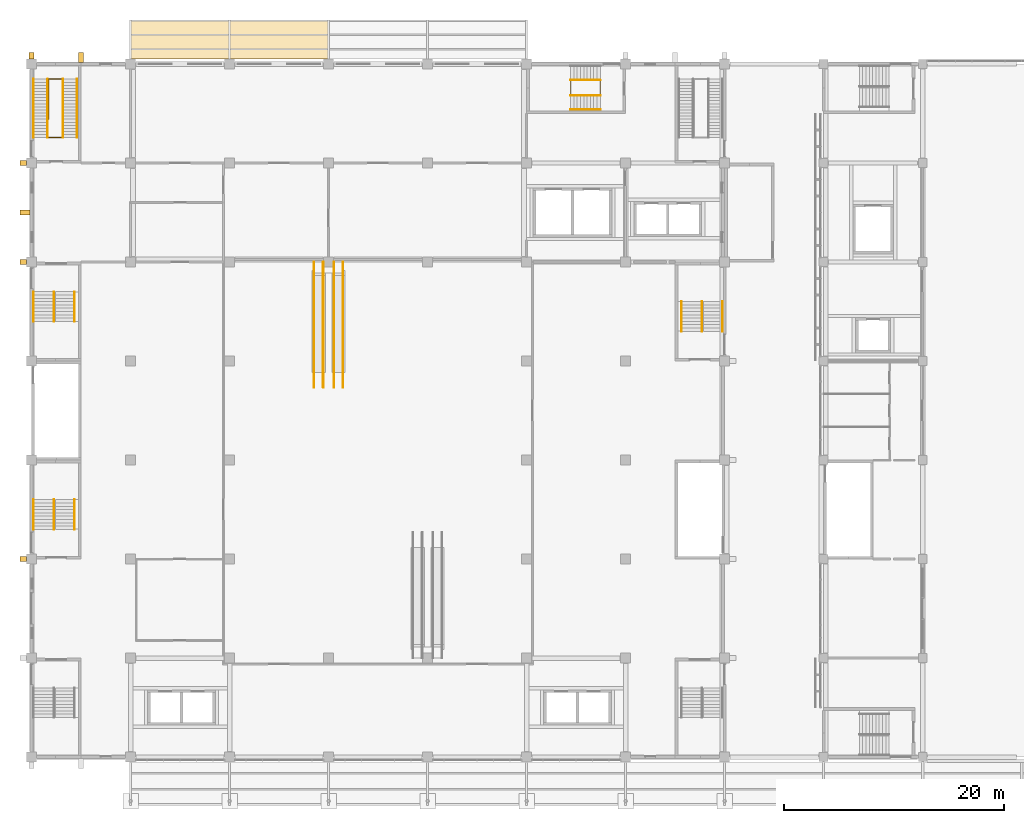
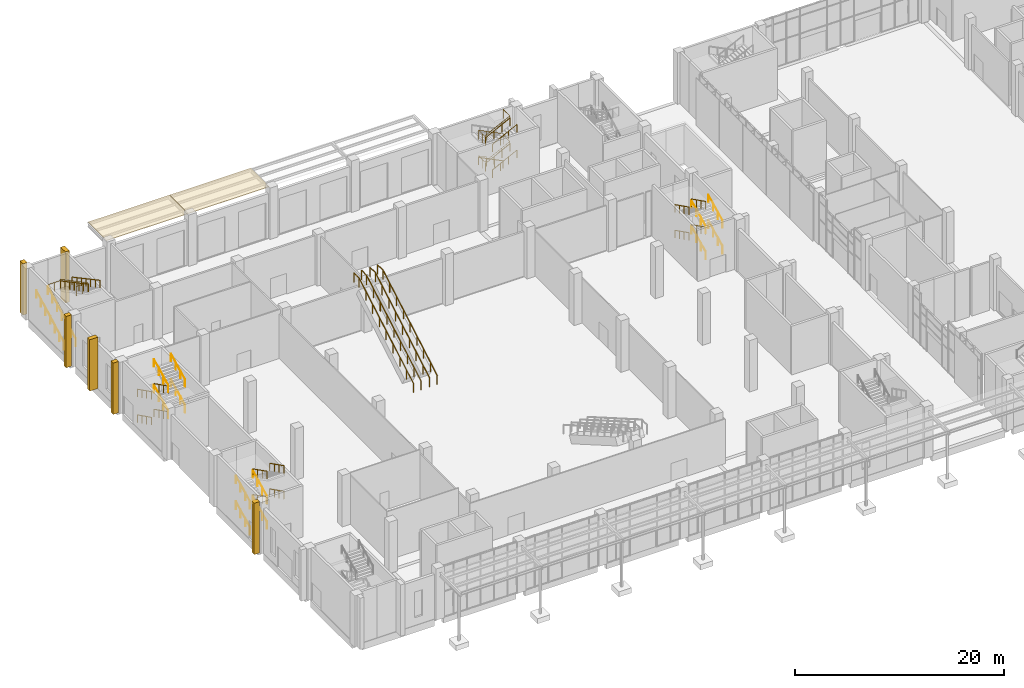
# One storey, part 79 of 86: 39 railings, 8 coverings.
"""IFC4 building model written with IfcOpenShell, lengths in metres."""

from ifc_helpers import new_model, si_unit, direction, frame, origin, origin_2d, place, context, subcontext, project, spatial, rectangle, circle, extrude, material, layer, layer_set, type_object, element, save


model = new_model("IFC4")

# Units and contexts
model_context = context("Model", 3, precision=1e-05, world=origin(), true_north=direction((0.0, 1.0)))
body_context = subcontext(model_context, "Body", "Model", "MODEL_VIEW")
ifc_project = project(units=[si_unit("LENGTHUNIT", "METRE"), si_unit("AREAUNIT", "SQUARE_METRE"), si_unit("VOLUMEUNIT", "CUBIC_METRE"), si_unit("PLANEANGLEUNIT", "RADIAN"), si_unit("MASSUNIT", "GRAM", prefix="KILO")], contexts=[model_context])

# Site, building, storey
site_placement = place(None, origin())
site = spatial("IfcSite", under=ifc_project, at=site_placement, CompositionType="ELEMENT")
building_placement = place(site_placement, origin())
building = spatial("IfcBuilding", under=site, at=building_placement, Name="Guidao Yard Department Store", CompositionType="ELEMENT")
storey_placement = place(building_placement, origin())
storey = spatial("IfcBuildingStorey", under=building, at=storey_placement, Name="L00", CompositionType="ELEMENT", Elevation=0.0)

# Coverings
ifc_material_1 = material(Name="Steel Q235", Category="steel")
ifc_layer_1 = layer(ifc_material_1, 0.06005859375)
ifc_layer_set_1 = layer_set([ifc_layer_1], Name="Canopy roofing panel CR1 galvanised insulated metal deck 60")
covering_type_1 = type_object("IfcCoveringType", Name="Canopy roofing panel CR1 galvanised insulated metal deck 60", PredefinedType="ROOFING", material=ifc_layer_set_1)
for number, where, z_axis, x_axis, name in (
    (1, (13.5, 110.22509765625, 5.449951171875), (0.0, 0.0, 1.0), (1.0, 0.0, 0.0), "Dock canopy covering 1.1"),
    (2, (22.5, 110.22509765625, 5.449951171875), (0.0, 0.0, 1.0), (1.0, 0.0, 0.0), "Dock canopy covering 2.1"),
):
    element("IfcCovering", number, at=place(storey_placement, frame(where, z_axis=z_axis, x_axis=x_axis)), inside=storey, type_object=covering_type_1, Name=name, PredefinedType="ROOFING", context=body_context, shape_type="SweptSolid", body=[
        extrude(rectangle(XDim=8.989990234375, YDim=3.550048828125, at=origin_2d()), origin(), (0.0, 0.0, 1.0), 0.06005859375),
    ])

# Railings
ifc_material_2 = material(Name="Laminated glass", Category="glass")
railing_type_1 = type_object("IfcRailingType", Name="Escalator balustrade glass 1100", PredefinedType="BALUSTRADE", material=ifc_material_2)
for number, where, name in (
    (3, (25.679931640625, 78.60009765625, 0.0), "Escalator EH1 up balustrade"),
    (4, (26.52001953125, 78.60009765625, 0.0), "Escalator EH1 up balustrade"),
    (5, (27.47998046875, 78.60009765625, 0.0), "Escalator EH1 down balustrade"),
    (6, (28.320068359375, 78.60009765625, 0.0), "Escalator EH1 down balustrade"),
):
    element("IfcRailing", number, at=place(storey_placement, frame(where)), inside=storey, type_object=railing_type_1, Name=name, PredefinedType="BALUSTRADE", context=body_context, shape_type="SweptSolid", body=[
        extrude(circle(Radius=0.030029296875, at=origin_2d()), frame((0.0, 0.0, 1.070068359375), z_axis=(0.0, 0.866015837845, 0.500016568328), x_axis=(-1.0, 0.0, 0.0)), (0.0, 0.0, 1.0), 11.99951171875),
        extrude(circle(Radius=0.030029296875, at=origin_2d()), frame((0.0, 10.391845703125, 7.070068359375), z_axis=(0.0, 1.0, 0.0), x_axis=(-1.0, 0.0, 0.0)), (0.0, 0.0, 1.0), 1.008056640625),
        extrude(circle(Radius=0.02490234375, at=origin_2d()), origin(), (0.0, 0.0, 1.0), 1.0400390625),
        extrude(circle(Radius=0.02490234375, at=origin_2d()), frame((0.0, 1.299072265625, 0.75)), (0.0, 0.0, 1.0), 1.0400390625),
        extrude(circle(Radius=0.02490234375, at=origin_2d()), frame((0.0, 2.597900390625, 1.5)), (0.0, 0.0, 1.0), 1.0400390625),
        extrude(circle(Radius=0.02490234375, at=origin_2d()), frame((0.0, 3.89697265625, 2.25)), (0.0, 0.0, 1.0), 1.0400390625),
        extrude(circle(Radius=0.02490234375, at=origin_2d()), frame((0.0, 5.19580078125, 3.0)), (0.0, 0.0, 1.0), 1.0400390625),
        extrude(circle(Radius=0.02490234375, at=origin_2d()), frame((0.0, 6.494873046875, 3.75)), (0.0, 0.0, 1.0), 1.0400390625),
        extrude(circle(Radius=0.02490234375, at=origin_2d()), frame((0.0, 7.7939453125, 4.5)), (0.0, 0.0, 1.0), 1.0400390625),
        extrude(circle(Radius=0.02490234375, at=origin_2d()), frame((0.0, 9.0927734375, 5.25)), (0.0, 0.0, 1.0), 1.0400390625),
        extrude(circle(Radius=0.02490234375, at=origin_2d()), frame((0.0, 10.391845703125, 6.0)), (0.0, 0.0, 1.0), 1.0400390625),
        extrude(circle(Radius=0.02490234375, at=origin_2d()), frame((0.0, 11.39990234375, 6.0)), (0.0, 0.0, 1.0), 1.0400390625),
    ])
ifc_material_3 = material(Name="Steel Q235", Category="steel")
railing_type_2 = type_object("IfcRailingType", Name="Guard steel balustrade 1100", PredefinedType="GUARDRAIL", material=ifc_material_3)
railing_1_placement = place(storey_placement, frame((1.52490234375, 102.97998046875, 1.050048828125)))
element("IfcRailing", 7, at=railing_1_placement, inside=storey, type_object=railing_type_2, Name="Stair A5 guard L00 1", PredefinedType="GUARDRAIL", context=body_context, shape_type="SweptSolid", body=[
    extrude(circle(Radius=0.02392578125, at=origin_2d()), frame((0.0, 0.0, 1.076171875), z_axis=(0.0, 0.881492274372, 0.472198443689), x_axis=(-1.0, 0.0, 0.0)), (0.0, 0.0, 1.0), 4.12939453125),
    extrude(circle(Radius=0.02392578125, at=origin_2d()), frame((0.0, 3.64013671875, 3.02587890625), z_axis=(1.0, 0.0, 0.0), x_axis=(0.0, 1.0, 0.0)), (0.0, 0.0, 1.0), 1.275146484375),
    extrude(circle(Radius=0.02392578125, at=origin_2d()), frame((1.275146484375, 3.64013671875, 3.02587890625), z_axis=(0.0, 0.0, 1.0), x_axis=(1.0, 0.0, 0.0)), (0.0, 0.0, 1.0), 0.14990234375),
    extrude(circle(Radius=0.02392578125, at=origin_2d()), frame((1.275146484375, 3.64013671875, 3.17578125), z_axis=(0.0, -0.881475760486, 0.472229270245), x_axis=(1.0, 0.0, 0.0)), (0.0, 0.0, 1.0), 6.035400390625),
    extrude(circle(Radius=0.02392578125, at=origin_2d()), frame((1.275146484375, -1.679931640625, 6.02587890625), z_axis=(-1.0, 0.0, 0.0), x_axis=(0.0, -1.0, 0.0)), (0.0, 0.0, 1.0), 1.275146484375),
    extrude(circle(Radius=0.02099609375, at=origin_2d()), origin(), (0.0, 0.0, 1.0), 1.052001953125),
    extrude(circle(Radius=0.02099609375, at=origin_2d()), frame((0.0, 0.91015625, 0.487548828125)), (0.0, 0.0, 1.0), 1.052001953125),
    extrude(circle(Radius=0.02099609375, at=origin_2d()), frame((0.0, 1.820068359375, 0.97509765625)), (0.0, 0.0, 1.0), 1.052001953125),
    extrude(circle(Radius=0.02099609375, at=origin_2d()), frame((0.0, 2.72998046875, 1.46240234375)), (0.0, 0.0, 1.0), 1.052001953125),
    extrude(circle(Radius=0.02099609375, at=origin_2d()), frame((0.0, 3.64013671875, 1.949951171875)), (0.0, 0.0, 1.0), 1.052001953125),
    extrude(circle(Radius=0.02099609375, at=origin_2d()), frame((0.6376953125, 3.64013671875, 1.949951171875)), (0.0, 0.0, 1.0), 1.052001953125),
    extrude(circle(Radius=0.02099609375, at=origin_2d()), frame((1.275146484375, 3.64013671875, 1.949951171875)), (0.0, 0.0, 1.0), 1.052001953125),
    extrude(circle(Radius=0.02099609375, at=origin_2d()), frame((1.275146484375, 3.64013671875, 2.099853515625)), (0.0, 0.0, 1.0), 1.052001953125),
    extrude(circle(Radius=0.02099609375, at=origin_2d()), frame((1.275146484375, 2.75341796875, 2.574951171875)), (0.0, 0.0, 1.0), 1.052001953125),
    extrude(circle(Radius=0.02099609375, at=origin_2d()), frame((1.275146484375, 1.86669921875, 3.0498046875)), (0.0, 0.0, 1.0), 1.052001953125),
    extrude(circle(Radius=0.02099609375, at=origin_2d()), frame((1.275146484375, 0.97998046875, 3.52490234375)), (0.0, 0.0, 1.0), 1.052001953125),
    extrude(circle(Radius=0.02099609375, at=origin_2d()), frame((1.275146484375, 0.093505859375, 4.0)), (0.0, 0.0, 1.0), 1.052001953125),
    extrude(circle(Radius=0.02099609375, at=origin_2d()), frame((1.275146484375, -0.793212890625, 4.474853515625)), (0.0, 0.0, 1.0), 1.052001953125),
    extrude(circle(Radius=0.02099609375, at=origin_2d()), frame((1.275146484375, -1.679931640625, 4.949951171875)), (0.0, 0.0, 1.0), 1.052001953125),
    extrude(circle(Radius=0.02099609375, at=origin_2d()), frame((0.6376953125, -1.679931640625, 4.949951171875)), (0.0, 0.0, 1.0), 1.052001953125),
    extrude(circle(Radius=0.02099609375, at=origin_2d()), frame((0.0, -1.679931640625, 4.949951171875)), (0.0, 0.0, 1.0), 1.052001953125),
])
railing_2_placement = place(storey_placement, frame((49.89990234375, 106.47509765625, 1.050048828125)))
element("IfcRailing", 8, at=railing_2_placement, inside=storey, type_object=railing_type_2, Name="Stair A7 guard L00 3", PredefinedType="GUARDRAIL", context=body_context, shape_type="SweptSolid", body=[
    extrude(circle(Radius=0.02392578125, at=origin_2d()), frame((0.0, 0.0, 1.076171875), z_axis=(-0.894427191, 0.0, 0.4472135955), x_axis=(0.0, -1.0, 0.0)), (0.0, 0.0, 1.0), 1.006103515625),
    extrude(circle(Radius=0.02392578125, at=origin_2d()), frame((-0.89990234375, 0.0, 1.52587890625), z_axis=(0.0, -1.0, 0.0), x_axis=(1.0, 0.0, 0.0)), (0.0, 0.0, 1.0), 1.275146484375),
    extrude(circle(Radius=0.02392578125, at=origin_2d()), frame((-0.89990234375, -1.275146484375, 1.52587890625), z_axis=(0.0, 0.0, 1.0), x_axis=(1.0, 0.0, 0.0)), (0.0, 0.0, 1.0), 0.14990234375),
    extrude(circle(Radius=0.02392578125, at=origin_2d()), frame((-0.89990234375, -1.275146484375, 1.67578125), z_axis=(0.894411015155, 0.0, 0.447245945728), x_axis=(0.0, 1.0, 0.0)), (0.0, 0.0, 1.0), 3.018798828125),
    extrude(circle(Radius=0.02392578125, at=origin_2d()), frame((1.800048828125, -1.275146484375, 3.02587890625), z_axis=(0.0, 1.0, 0.0), x_axis=(-1.0, 0.0, 0.0)), (0.0, 0.0, 1.0), 1.275146484375),
    extrude(circle(Radius=0.02392578125, at=origin_2d()), frame((1.800048828125, 0.0, 3.02587890625), z_axis=(0.0, 0.0, 1.0), x_axis=(1.0, 0.0, 0.0)), (0.0, 0.0, 1.0), 0.14990234375),
    extrude(circle(Radius=0.02392578125, at=origin_2d()), frame((1.800048828125, 0.0, 3.17578125), z_axis=(-0.894411015155, 0.0, 0.447245945728), x_axis=(0.0, -1.0, 0.0)), (0.0, 0.0, 1.0), 3.018798828125),
    extrude(circle(Radius=0.02392578125, at=origin_2d()), frame((-0.89990234375, 0.0, 4.52587890625), z_axis=(0.0, -1.0, 0.0), x_axis=(1.0, 0.0, 0.0)), (0.0, 0.0, 1.0), 1.275146484375),
    extrude(circle(Radius=0.02392578125, at=origin_2d()), frame((-0.89990234375, -1.275146484375, 4.52587890625), z_axis=(0.0, 0.0, 1.0), x_axis=(1.0, 0.0, 0.0)), (0.0, 0.0, 1.0), 0.14990234375),
    extrude(circle(Radius=0.02392578125, at=origin_2d()), frame((-0.89990234375, -1.275146484375, 4.67578125), z_axis=(0.894411015155, 0.0, 0.447245945728), x_axis=(0.0, 1.0, 0.0)), (0.0, 0.0, 1.0), 3.018798828125),
    extrude(circle(Radius=0.02392578125, at=origin_2d()), frame((1.800048828125, -1.275146484375, 6.02587890625), z_axis=(0.0, 1.0, 0.0), x_axis=(-1.0, 0.0, 0.0)), (0.0, 0.0, 1.0), 1.275146484375),
    extrude(circle(Radius=0.02099609375, at=origin_2d()), origin(), (0.0, 0.0, 1.0), 1.052001953125),
    extrude(circle(Radius=0.02099609375, at=origin_2d()), frame((-0.89990234375, 0.0, 0.449951171875)), (0.0, 0.0, 1.0), 1.052001953125),
    extrude(circle(Radius=0.02099609375, at=origin_2d()), frame((-0.89990234375, -0.6376953125, 0.449951171875)), (0.0, 0.0, 1.0), 1.052001953125),
    extrude(circle(Radius=0.02099609375, at=origin_2d()), frame((-0.89990234375, -1.275146484375, 0.449951171875)), (0.0, 0.0, 1.0), 1.052001953125),
    extrude(circle(Radius=0.02099609375, at=origin_2d()), frame((-0.89990234375, -1.275146484375, 0.599853515625)), (0.0, 0.0, 1.0), 1.052001953125),
    extrude(circle(Radius=0.02099609375, at=origin_2d()), frame((0.0, -1.275146484375, 1.0498046875)), (0.0, 0.0, 1.0), 1.052001953125),
    extrude(circle(Radius=0.02099609375, at=origin_2d()), frame((0.900146484375, -1.275146484375, 1.5)), (0.0, 0.0, 1.0), 1.052001953125),
    extrude(circle(Radius=0.02099609375, at=origin_2d()), frame((1.800048828125, -1.275146484375, 1.949951171875)), (0.0, 0.0, 1.0), 1.052001953125),
    extrude(circle(Radius=0.02099609375, at=origin_2d()), frame((1.800048828125, -0.6376953125, 1.949951171875)), (0.0, 0.0, 1.0), 1.052001953125),
    extrude(circle(Radius=0.02099609375, at=origin_2d()), frame((1.800048828125, 0.0, 1.949951171875)), (0.0, 0.0, 1.0), 1.052001953125),
    extrude(circle(Radius=0.02099609375, at=origin_2d()), frame((1.800048828125, 0.0, 2.099853515625)), (0.0, 0.0, 1.0), 1.052001953125),
    extrude(circle(Radius=0.02099609375, at=origin_2d()), frame((0.900146484375, 0.0, 2.5498046875)), (0.0, 0.0, 1.0), 1.052001953125),
    extrude(circle(Radius=0.02099609375, at=origin_2d()), frame((0.0, 0.0, 3.0)), (0.0, 0.0, 1.0), 1.052001953125),
    extrude(circle(Radius=0.02099609375, at=origin_2d()), frame((-0.89990234375, 0.0, 3.449951171875)), (0.0, 0.0, 1.0), 1.052001953125),
    extrude(circle(Radius=0.02099609375, at=origin_2d()), frame((-0.89990234375, -0.6376953125, 3.449951171875)), (0.0, 0.0, 1.0), 1.052001953125),
    extrude(circle(Radius=0.02099609375, at=origin_2d()), frame((-0.89990234375, -1.275146484375, 3.449951171875)), (0.0, 0.0, 1.0), 1.052001953125),
    extrude(circle(Radius=0.02099609375, at=origin_2d()), frame((-0.89990234375, -1.275146484375, 3.599853515625)), (0.0, 0.0, 1.0), 1.052001953125),
    extrude(circle(Radius=0.02099609375, at=origin_2d()), frame((0.0, -1.275146484375, 4.0498046875)), (0.0, 0.0, 1.0), 1.052001953125),
    extrude(circle(Radius=0.02099609375, at=origin_2d()), frame((0.900146484375, -1.275146484375, 4.5)), (0.0, 0.0, 1.0), 1.052001953125),
    extrude(circle(Radius=0.02099609375, at=origin_2d()), frame((1.800048828125, -1.275146484375, 4.949951171875)), (0.0, 0.0, 1.0), 1.052001953125),
    extrude(circle(Radius=0.02099609375, at=origin_2d()), frame((1.800048828125, -0.6376953125, 4.949951171875)), (0.0, 0.0, 1.0), 1.052001953125),
    extrude(circle(Radius=0.02099609375, at=origin_2d()), frame((1.800048828125, 0.0, 4.949951171875)), (0.0, 0.0, 1.0), 1.052001953125),
])
ifc_material_4 = material(Name="Steel Q235", Category="steel")
railing_type_3 = type_object("IfcRailingType", Name="Handrail steel tube 48", PredefinedType="HANDRAIL", material=ifc_material_4)
for number, where, name in (
    (9, (0.18505859375, 65.699951171875, 0.14990234375), "Stair A1 hand rail L00 1"),
    (10, (2.050048828125, 65.699951171875, 0.14990234375), "Stair A1 hand rail L00 2"),
):
    element("IfcRailing", number, at=place(storey_placement, frame(where)), inside=storey, type_object=railing_type_3, Name=name, PredefinedType="HANDRAIL", context=body_context, shape_type="SweptSolid", body=[
        extrude(circle(Radius=0.02392578125, at=origin_2d()), frame((0.0, 0.0, 0.8759765625), z_axis=(0.0, 0.894411015155, 0.447245945728), x_axis=(-1.0, 0.0, 0.0)), (0.0, 0.0, 1.0), 3.018798828125),
        extrude(circle(Radius=0.02099609375, at=origin_2d()), origin(), (0.0, 0.0, 1.0), 0.851806640625),
        extrude(circle(Radius=0.02099609375, at=origin_2d()), frame((0.0, 0.89990234375, 0.449951171875)), (0.0, 0.0, 1.0), 0.851806640625),
        extrude(circle(Radius=0.02099609375, at=origin_2d()), frame((0.0, 1.800048828125, 0.900146484375)), (0.0, 0.0, 1.0), 0.851806640625),
        extrude(circle(Radius=0.02099609375, at=origin_2d()), frame((0.0, 2.699951171875, 1.35009765625)), (0.0, 0.0, 1.0), 0.851806640625),
    ])
for number, where, name in (
    (11, (3.9150390625, 68.39990234375, 1.64990234375), "Stair A1 hand rail L00 3"),
    (12, (2.050048828125, 68.39990234375, 1.64990234375), "Stair A1 hand rail L00 4"),
):
    element("IfcRailing", number, at=place(storey_placement, frame(where)), inside=storey, type_object=railing_type_3, Name=name, PredefinedType="HANDRAIL", context=body_context, shape_type="SweptSolid", body=[
        extrude(circle(Radius=0.02392578125, at=origin_2d()), frame((0.0, 0.0, 0.8759765625), z_axis=(0.0, -0.894411015155, 0.447245945728), x_axis=(1.0, 0.0, 0.0)), (0.0, 0.0, 1.0), 3.018798828125),
        extrude(circle(Radius=0.02099609375, at=origin_2d()), origin(), (0.0, 0.0, 1.0), 0.851806640625),
        extrude(circle(Radius=0.02099609375, at=origin_2d()), frame((0.0, -0.89990234375, 0.449951171875)), (0.0, 0.0, 1.0), 0.851806640625),
        extrude(circle(Radius=0.02099609375, at=origin_2d()), frame((0.0, -1.800048828125, 0.900146484375)), (0.0, 0.0, 1.0), 0.851806640625),
        extrude(circle(Radius=0.02099609375, at=origin_2d()), frame((0.0, -2.699951171875, 1.35009765625)), (0.0, 0.0, 1.0), 0.851806640625),
    ])
for number, where, name in (
    (13, (0.18505859375, 65.699951171875, 3.14990234375), "Stair A1 hand rail L00 5"),
    (14, (2.050048828125, 65.699951171875, 3.14990234375), "Stair A1 hand rail L00 6"),
):
    element("IfcRailing", number, at=place(storey_placement, frame(where)), inside=storey, type_object=railing_type_3, Name=name, PredefinedType="HANDRAIL", context=body_context, shape_type="SweptSolid", body=[
        extrude(circle(Radius=0.02392578125, at=origin_2d()), frame((0.0, 0.0, 0.8759765625), z_axis=(0.0, 0.894411015155, 0.447245945728), x_axis=(-1.0, 0.0, 0.0)), (0.0, 0.0, 1.0), 3.018798828125),
        extrude(circle(Radius=0.02099609375, at=origin_2d()), origin(), (0.0, 0.0, 1.0), 0.851806640625),
        extrude(circle(Radius=0.02099609375, at=origin_2d()), frame((0.0, 0.89990234375, 0.449951171875)), (0.0, 0.0, 1.0), 0.851806640625),
        extrude(circle(Radius=0.02099609375, at=origin_2d()), frame((0.0, 1.800048828125, 0.900146484375)), (0.0, 0.0, 1.0), 0.851806640625),
        extrude(circle(Radius=0.02099609375, at=origin_2d()), frame((0.0, 2.699951171875, 1.35009765625)), (0.0, 0.0, 1.0), 0.851806640625),
    ])
for number, where, name in (
    (15, (3.9150390625, 68.39990234375, 4.64990234375), "Stair A1 hand rail L00 7"),
    (16, (2.050048828125, 68.39990234375, 4.64990234375), "Stair A1 hand rail L00 8"),
    (17, (0.18505859375, 87.300048828125, 0.14990234375), "Stair A3 hand rail L00 17"),
    (18, (2.050048828125, 87.300048828125, 0.14990234375), "Stair A3 hand rail L00 18"),
):
    element("IfcRailing", number, at=place(storey_placement, frame(where)), inside=storey, type_object=railing_type_3, Name=name, PredefinedType="HANDRAIL", context=body_context, shape_type="SweptSolid", body=[
        extrude(circle(Radius=0.02392578125, at=origin_2d()), frame((0.0, 0.0, 0.8759765625), z_axis=(0.0, -0.894411015155, 0.447245945728), x_axis=(1.0, 0.0, 0.0)), (0.0, 0.0, 1.0), 3.018798828125),
        extrude(circle(Radius=0.02099609375, at=origin_2d()), origin(), (0.0, 0.0, 1.0), 0.851806640625),
        extrude(circle(Radius=0.02099609375, at=origin_2d()), frame((0.0, -0.89990234375, 0.449951171875)), (0.0, 0.0, 1.0), 0.851806640625),
        extrude(circle(Radius=0.02099609375, at=origin_2d()), frame((0.0, -1.800048828125, 0.900146484375)), (0.0, 0.0, 1.0), 0.851806640625),
        extrude(circle(Radius=0.02099609375, at=origin_2d()), frame((0.0, -2.699951171875, 1.35009765625)), (0.0, 0.0, 1.0), 0.851806640625),
    ])
for number, where, name in (
    (19, (3.9150390625, 84.60009765625, 1.64990234375), "Stair A3 hand rail L00 19"),
    (20, (2.050048828125, 84.60009765625, 1.64990234375), "Stair A3 hand rail L00 20"),
):
    element("IfcRailing", number, at=place(storey_placement, frame(where)), inside=storey, type_object=railing_type_3, Name=name, PredefinedType="HANDRAIL", context=body_context, shape_type="SweptSolid", body=[
        extrude(circle(Radius=0.02392578125, at=origin_2d()), frame((0.0, 0.0, 0.8759765625), z_axis=(0.0, 0.894411015155, 0.447245945728), x_axis=(-1.0, 0.0, 0.0)), (0.0, 0.0, 1.0), 3.018798828125),
        extrude(circle(Radius=0.02099609375, at=origin_2d()), origin(), (0.0, 0.0, 1.0), 0.851806640625),
        extrude(circle(Radius=0.02099609375, at=origin_2d()), frame((0.0, 0.89990234375, 0.449951171875)), (0.0, 0.0, 1.0), 0.851806640625),
        extrude(circle(Radius=0.02099609375, at=origin_2d()), frame((0.0, 1.800048828125, 0.900146484375)), (0.0, 0.0, 1.0), 0.851806640625),
        extrude(circle(Radius=0.02099609375, at=origin_2d()), frame((0.0, 2.699951171875, 1.35009765625)), (0.0, 0.0, 1.0), 0.851806640625),
    ])
for number, where, name in (
    (21, (0.18505859375, 87.300048828125, 3.14990234375), "Stair A3 hand rail L00 21"),
    (22, (2.050048828125, 87.300048828125, 3.14990234375), "Stair A3 hand rail L00 22"),
):
    element("IfcRailing", number, at=place(storey_placement, frame(where)), inside=storey, type_object=railing_type_3, Name=name, PredefinedType="HANDRAIL", context=body_context, shape_type="SweptSolid", body=[
        extrude(circle(Radius=0.02392578125, at=origin_2d()), frame((0.0, 0.0, 0.8759765625), z_axis=(0.0, -0.894411015155, 0.447245945728), x_axis=(1.0, 0.0, 0.0)), (0.0, 0.0, 1.0), 3.018798828125),
        extrude(circle(Radius=0.02099609375, at=origin_2d()), origin(), (0.0, 0.0, 1.0), 0.851806640625),
        extrude(circle(Radius=0.02099609375, at=origin_2d()), frame((0.0, -0.89990234375, 0.449951171875)), (0.0, 0.0, 1.0), 0.851806640625),
        extrude(circle(Radius=0.02099609375, at=origin_2d()), frame((0.0, -1.800048828125, 0.900146484375)), (0.0, 0.0, 1.0), 0.851806640625),
        extrude(circle(Radius=0.02099609375, at=origin_2d()), frame((0.0, -2.699951171875, 1.35009765625)), (0.0, 0.0, 1.0), 0.851806640625),
    ])
for number, where, name in (
    (23, (3.9150390625, 84.60009765625, 4.64990234375), "Stair A3 hand rail L00 23"),
    (24, (2.050048828125, 84.60009765625, 4.64990234375), "Stair A3 hand rail L00 24"),
    (25, (62.81494140625, 83.699951171875, 0.14990234375), "Stair A4 hand rail L00 25"),
    (26, (60.949951171875, 83.699951171875, 0.14990234375), "Stair A4 hand rail L00 26"),
):
    element("IfcRailing", number, at=place(storey_placement, frame(where)), inside=storey, type_object=railing_type_3, Name=name, PredefinedType="HANDRAIL", context=body_context, shape_type="SweptSolid", body=[
        extrude(circle(Radius=0.02392578125, at=origin_2d()), frame((0.0, 0.0, 0.8759765625), z_axis=(0.0, 0.894411015155, 0.447245945728), x_axis=(-1.0, 0.0, 0.0)), (0.0, 0.0, 1.0), 3.018798828125),
        extrude(circle(Radius=0.02099609375, at=origin_2d()), origin(), (0.0, 0.0, 1.0), 0.851806640625),
        extrude(circle(Radius=0.02099609375, at=origin_2d()), frame((0.0, 0.89990234375, 0.449951171875)), (0.0, 0.0, 1.0), 0.851806640625),
        extrude(circle(Radius=0.02099609375, at=origin_2d()), frame((0.0, 1.800048828125, 0.900146484375)), (0.0, 0.0, 1.0), 0.851806640625),
        extrude(circle(Radius=0.02099609375, at=origin_2d()), frame((0.0, 2.699951171875, 1.35009765625)), (0.0, 0.0, 1.0), 0.851806640625),
    ])
for number, where, name in (
    (27, (59.0849609375, 86.39990234375, 1.64990234375), "Stair A4 hand rail L00 27"),
    (28, (60.949951171875, 86.39990234375, 1.64990234375), "Stair A4 hand rail L00 28"),
):
    element("IfcRailing", number, at=place(storey_placement, frame(where)), inside=storey, type_object=railing_type_3, Name=name, PredefinedType="HANDRAIL", context=body_context, shape_type="SweptSolid", body=[
        extrude(circle(Radius=0.02392578125, at=origin_2d()), frame((0.0, 0.0, 0.8759765625), z_axis=(0.0, -0.894411015155, 0.447245945728), x_axis=(1.0, 0.0, 0.0)), (0.0, 0.0, 1.0), 3.018798828125),
        extrude(circle(Radius=0.02099609375, at=origin_2d()), origin(), (0.0, 0.0, 1.0), 0.851806640625),
        extrude(circle(Radius=0.02099609375, at=origin_2d()), frame((0.0, -0.89990234375, 0.449951171875)), (0.0, 0.0, 1.0), 0.851806640625),
        extrude(circle(Radius=0.02099609375, at=origin_2d()), frame((0.0, -1.800048828125, 0.900146484375)), (0.0, 0.0, 1.0), 0.851806640625),
        extrude(circle(Radius=0.02099609375, at=origin_2d()), frame((0.0, -2.699951171875, 1.35009765625)), (0.0, 0.0, 1.0), 0.851806640625),
    ])
for number, where, name in (
    (29, (62.81494140625, 83.699951171875, 3.14990234375), "Stair A4 hand rail L00 29"),
    (30, (60.949951171875, 83.699951171875, 3.14990234375), "Stair A4 hand rail L00 30"),
):
    element("IfcRailing", number, at=place(storey_placement, frame(where)), inside=storey, type_object=railing_type_3, Name=name, PredefinedType="HANDRAIL", context=body_context, shape_type="SweptSolid", body=[
        extrude(circle(Radius=0.02392578125, at=origin_2d()), frame((0.0, 0.0, 0.8759765625), z_axis=(0.0, 0.894411015155, 0.447245945728), x_axis=(-1.0, 0.0, 0.0)), (0.0, 0.0, 1.0), 3.018798828125),
        extrude(circle(Radius=0.02099609375, at=origin_2d()), origin(), (0.0, 0.0, 1.0), 0.851806640625),
        extrude(circle(Radius=0.02099609375, at=origin_2d()), frame((0.0, 0.89990234375, 0.449951171875)), (0.0, 0.0, 1.0), 0.851806640625),
        extrude(circle(Radius=0.02099609375, at=origin_2d()), frame((0.0, 1.800048828125, 0.900146484375)), (0.0, 0.0, 1.0), 0.851806640625),
        extrude(circle(Radius=0.02099609375, at=origin_2d()), frame((0.0, 2.699951171875, 1.35009765625)), (0.0, 0.0, 1.0), 0.851806640625),
    ])
for number, where, name in (
    (31, (59.0849609375, 86.39990234375, 4.64990234375), "Stair A4 hand rail L00 31"),
    (32, (60.949951171875, 86.39990234375, 4.64990234375), "Stair A4 hand rail L00 32"),
):
    element("IfcRailing", number, at=place(storey_placement, frame(where)), inside=storey, type_object=railing_type_3, Name=name, PredefinedType="HANDRAIL", context=body_context, shape_type="SweptSolid", body=[
        extrude(circle(Radius=0.02392578125, at=origin_2d()), frame((0.0, 0.0, 0.8759765625), z_axis=(0.0, -0.894411015155, 0.447245945728), x_axis=(1.0, 0.0, 0.0)), (0.0, 0.0, 1.0), 3.018798828125),
        extrude(circle(Radius=0.02099609375, at=origin_2d()), origin(), (0.0, 0.0, 1.0), 0.851806640625),
        extrude(circle(Radius=0.02099609375, at=origin_2d()), frame((0.0, -0.89990234375, 0.449951171875)), (0.0, 0.0, 1.0), 0.851806640625),
        extrude(circle(Radius=0.02099609375, at=origin_2d()), frame((0.0, -1.800048828125, 0.900146484375)), (0.0, 0.0, 1.0), 0.851806640625),
        extrude(circle(Radius=0.02099609375, at=origin_2d()), frame((0.0, -2.699951171875, 1.35009765625)), (0.0, 0.0, 1.0), 0.851806640625),
    ])
for number, where, name in (
    (33, (0.18505859375, 101.300048828125, 0.14990234375), "Stair A5 hand rail L00 33"),
    (34, (1.465087890625, 101.300048828125, 0.14990234375), "Stair A5 hand rail L00 34"),
):
    element("IfcRailing", number, at=place(storey_placement, frame(where)), inside=storey, type_object=railing_type_3, Name=name, PredefinedType="HANDRAIL", context=body_context, shape_type="SweptSolid", body=[
        extrude(circle(Radius=0.02392578125, at=origin_2d()), frame((0.0, 0.0, 0.8759765625), z_axis=(0.0, 0.881475760486, 0.472229270245), x_axis=(-1.0, 0.0, 0.0)), (0.0, 0.0, 1.0), 6.035400390625),
        extrude(circle(Radius=0.02099609375, at=origin_2d()), origin(), (0.0, 0.0, 1.0), 0.851806640625),
        extrude(circle(Radius=0.02099609375, at=origin_2d()), frame((0.0, 0.88671875, 0.47509765625)), (0.0, 0.0, 1.0), 0.851806640625),
        extrude(circle(Radius=0.02099609375, at=origin_2d()), frame((0.0, 1.7734375, 0.949951171875)), (0.0, 0.0, 1.0), 0.851806640625),
        extrude(circle(Radius=0.02099609375, at=origin_2d()), frame((0.0, 2.66015625, 1.425048828125)), (0.0, 0.0, 1.0), 0.851806640625),
        extrude(circle(Radius=0.02099609375, at=origin_2d()), frame((0.0, 3.546630859375, 1.900146484375)), (0.0, 0.0, 1.0), 0.851806640625),
        extrude(circle(Radius=0.02099609375, at=origin_2d()), frame((0.0, 4.433349609375, 2.375)), (0.0, 0.0, 1.0), 0.851806640625),
        extrude(circle(Radius=0.02099609375, at=origin_2d()), frame((0.0, 5.320068359375, 2.85009765625)), (0.0, 0.0, 1.0), 0.851806640625),
    ])
for number, where, name in (
    (35, (2.860107421875, 106.6201171875, 3.14990234375), "Stair A5 hand rail L00 35"),
    (36, (4.139892578125, 106.6201171875, 3.14990234375), "Stair A5 hand rail L00 36"),
):
    element("IfcRailing", number, at=place(storey_placement, frame(where)), inside=storey, type_object=railing_type_3, Name=name, PredefinedType="HANDRAIL", context=body_context, shape_type="SweptSolid", body=[
        extrude(circle(Radius=0.02392578125, at=origin_2d()), frame((0.0, 0.0, 0.8759765625), z_axis=(0.0, -0.881475760486, 0.472229270245), x_axis=(1.0, 0.0, 0.0)), (0.0, 0.0, 1.0), 6.035400390625),
        extrude(circle(Radius=0.02099609375, at=origin_2d()), origin(), (0.0, 0.0, 1.0), 0.851806640625),
        extrude(circle(Radius=0.02099609375, at=origin_2d()), frame((0.0, -0.88671875, 0.47509765625)), (0.0, 0.0, 1.0), 0.851806640625),
        extrude(circle(Radius=0.02099609375, at=origin_2d()), frame((0.0, -1.7734375, 0.949951171875)), (0.0, 0.0, 1.0), 0.851806640625),
        extrude(circle(Radius=0.02099609375, at=origin_2d()), frame((0.0, -2.66015625, 1.425048828125)), (0.0, 0.0, 1.0), 0.851806640625),
        extrude(circle(Radius=0.02099609375, at=origin_2d()), frame((0.0, -3.546630859375, 1.900146484375)), (0.0, 0.0, 1.0), 0.851806640625),
        extrude(circle(Radius=0.02099609375, at=origin_2d()), frame((0.0, -4.433349609375, 2.375)), (0.0, 0.0, 1.0), 0.851806640625),
        extrude(circle(Radius=0.02099609375, at=origin_2d()), frame((0.0, -5.320068359375, 2.85009765625)), (0.0, 0.0, 1.0), 0.851806640625),
    ])
railing_3_placement = place(storey_placement, frame((51.699951171875, 106.534912109375, 0.14990234375)))
element("IfcRailing", 37, at=railing_3_placement, inside=storey, type_object=railing_type_3, Name="Stair A7 hand rail L00 42", PredefinedType="HANDRAIL", context=body_context, shape_type="SweptSolid", body=[
    extrude(circle(Radius=0.02392578125, at=origin_2d()), frame((0.0, 0.0, 0.8759765625), z_axis=(-0.894411015155, 0.0, 0.447245945728), x_axis=(0.0, -1.0, 0.0)), (0.0, 0.0, 1.0), 3.018798828125),
    extrude(circle(Radius=0.02099609375, at=origin_2d()), origin(), (0.0, 0.0, 1.0), 0.851806640625),
    extrude(circle(Radius=0.02099609375, at=origin_2d()), frame((-0.89990234375, 0.0, 0.449951171875)), (0.0, 0.0, 1.0), 0.851806640625),
    extrude(circle(Radius=0.02099609375, at=origin_2d()), frame((-1.800048828125, 0.0, 0.900146484375)), (0.0, 0.0, 1.0), 0.851806640625),
    extrude(circle(Radius=0.02099609375, at=origin_2d()), frame((-2.699951171875, 0.0, 1.35009765625)), (0.0, 0.0, 1.0), 0.851806640625),
])
for number, where, name in (
    (38, (49.0, 105.139892578125, 1.64990234375), "Stair A7 hand rail L00 43"),
    (39, (49.0, 103.860107421875, 1.64990234375), "Stair A7 hand rail L00 44"),
    (40, (49.0, 105.139892578125, 4.64990234375), "Stair A7 hand rail L00 47"),
    (41, (49.0, 103.860107421875, 4.64990234375), "Stair A7 hand rail L00 48"),
):
    element("IfcRailing", number, at=place(storey_placement, frame(where)), inside=storey, type_object=railing_type_3, Name=name, PredefinedType="HANDRAIL", context=body_context, shape_type="SweptSolid", body=[
        extrude(circle(Radius=0.02392578125, at=origin_2d()), frame((0.0, 0.0, 0.8759765625), z_axis=(0.894411015155, 0.0, 0.447245945728), x_axis=(0.0, 1.0, 0.0)), (0.0, 0.0, 1.0), 3.018798828125),
        extrude(circle(Radius=0.02099609375, at=origin_2d()), origin(), (0.0, 0.0, 1.0), 0.851806640625),
        extrude(circle(Radius=0.02099609375, at=origin_2d()), frame((0.89990234375, 0.0, 0.449951171875)), (0.0, 0.0, 1.0), 0.851806640625),
        extrude(circle(Radius=0.02099609375, at=origin_2d()), frame((1.800048828125, 0.0, 0.900146484375)), (0.0, 0.0, 1.0), 0.851806640625),
        extrude(circle(Radius=0.02099609375, at=origin_2d()), frame((2.699951171875, 0.0, 1.35009765625)), (0.0, 0.0, 1.0), 0.851806640625),
    ])

# Coverings
ifc_material_5 = material(Name="Precast concrete C40/50", Category="concrete")
ifc_layer_2 = layer(ifc_material_5, 0.449951171875)
ifc_layer_set_2 = layer_set([ifc_layer_2], Name="Precast fin FN1 board-formed concrete")
covering_type_2 = type_object("IfcCoveringType", Name="Precast fin FN1 board-formed concrete", PredefinedType="CLADDING", material=ifc_layer_set_2)
for number, where, z_axis, x_axis, name in (
    (42, (-0.75, 63.0, 0.0), (0.0, 0.0, 1.0), (0.0, 1.0, 0.0), "Precast fin"),
    (43, (-0.75, 90.0, 0.0), (0.0, 0.0, 1.0), (0.0, 1.0, 0.0), "Precast fin"),
):
    element("IfcCovering", number, at=place(storey_placement, frame(where, z_axis=z_axis, x_axis=x_axis)), inside=storey, type_object=covering_type_2, Name=name, PredefinedType="CLADDING", context=body_context, shape_type="SweptSolid", body=[
        extrude(rectangle(XDim=0.449951171875, YDim=0.60009765625, at=origin_2d()), origin(), (0.0, 0.0, 1.0), 6.0),
    ])
covering_1_placement = place(storey_placement, frame((-0.60009765625, 94.5, 0.0), z_axis=(0.0, 0.0, 1.0), x_axis=(0.0, 1.0, 0.0)))
element("IfcCovering", 44, at=covering_1_placement, inside=storey, type_object=covering_type_2, Name="Precast fin", PredefinedType="CLADDING", context=body_context, shape_type="SweptSolid", body=[
    extrude(rectangle(XDim=0.449951171875, YDim=0.89990234375, at=origin_2d()), origin(), (0.0, 0.0, 1.0), 6.0),
])
for number, where, z_axis, x_axis, name in (
    (45, (-0.75, 99.0, 0.0), (0.0, 0.0, 1.0), (0.0, 1.0, 0.0), "Precast fin"),
    (46, (0.0, 108.75, 0.0), (0.0, 0.0, 1.0), (1.0, 0.0, 0.0), "Precast fin"),
):
    element("IfcCovering", number, at=place(storey_placement, frame(where, z_axis=z_axis, x_axis=x_axis)), inside=storey, type_object=covering_type_2, Name=name, PredefinedType="CLADDING", context=body_context, shape_type="SweptSolid", body=[
        extrude(rectangle(XDim=0.449951171875, YDim=0.60009765625, at=origin_2d()), origin(), (0.0, 0.0, 1.0), 6.0),
    ])
covering_2_placement = place(storey_placement, frame((4.5, 108.60009765625, 0.0), z_axis=(0.0, 0.0, 1.0), x_axis=(1.0, 0.0, 0.0)))
element("IfcCovering", 47, at=covering_2_placement, inside=storey, type_object=covering_type_2, Name="Precast fin", PredefinedType="CLADDING", context=body_context, shape_type="SweptSolid", body=[
    extrude(rectangle(XDim=0.449951171875, YDim=0.89990234375, at=origin_2d()), origin(), (0.0, 0.0, 1.0), 6.0),
])

save(model, "model.ifc")
